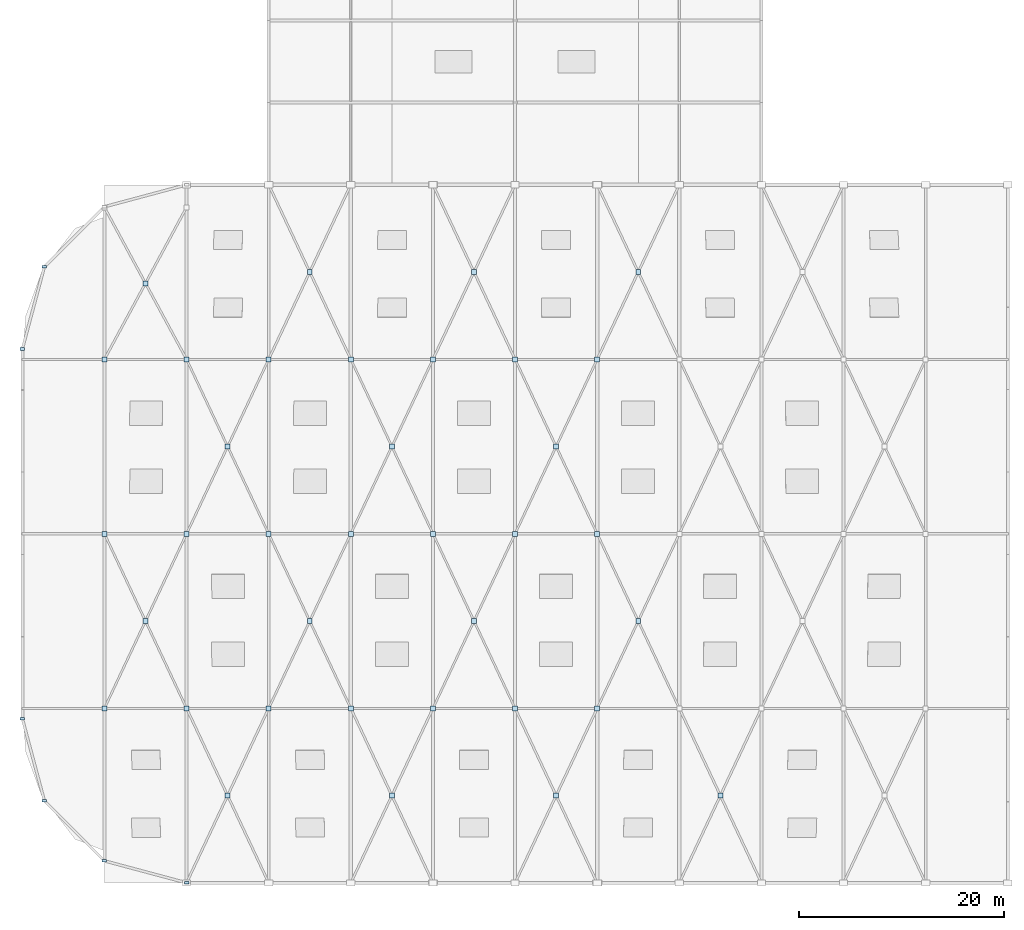
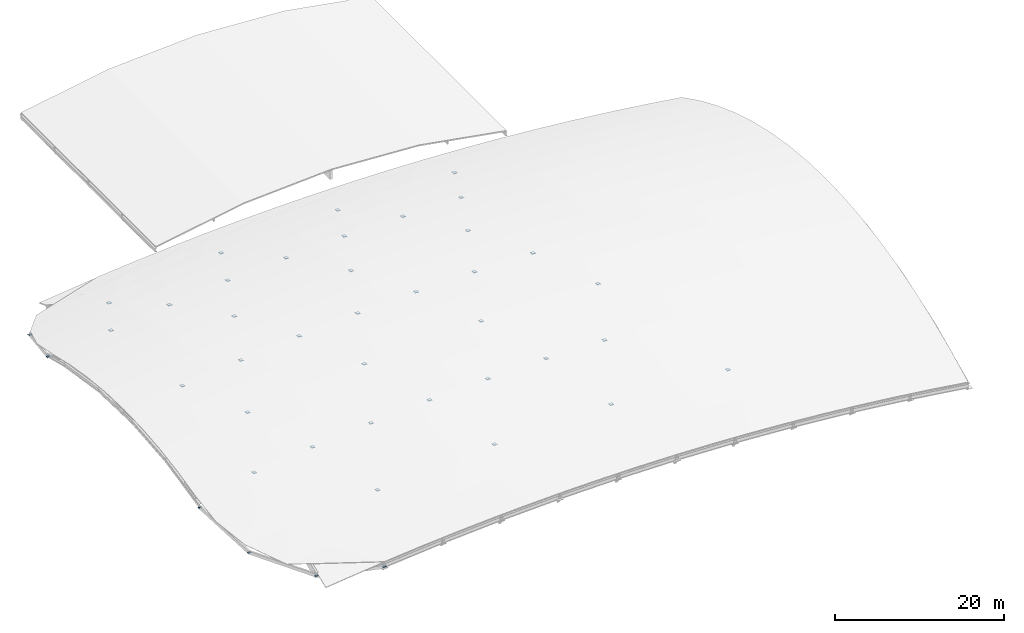
# One storey, part 8 of 11: 42 plates.
"""IFC4 building model written with IfcOpenShell, lengths in metres."""

from ifc_helpers import new_model, si_unit, direction, frame, origin, origin_2d, place, context, subcontext, project, spatial, rectangle, extrude, material, layer, layer_set, type_object, element, save


model = new_model("IFC4")

# Units and contexts
model_context = context("Model", 3, precision=1e-05, world=origin(), true_north=direction((0.0, 1.0)))
body_context = subcontext(model_context, "Body", "Model", "MODEL_VIEW")
ifc_project = project(units=[si_unit("LENGTHUNIT", "METRE"), si_unit("AREAUNIT", "SQUARE_METRE"), si_unit("VOLUMEUNIT", "CUBIC_METRE"), si_unit("PLANEANGLEUNIT", "RADIAN"), si_unit("MASSUNIT", "GRAM", prefix="KILO")], contexts=[model_context])

# Site, building, storey
site_placement = place(None, origin())
site = spatial("IfcSite", under=ifc_project, at=site_placement, CompositionType="ELEMENT")
building_placement = place(site_placement, origin())
building = spatial("IfcBuilding", under=site, at=building_placement, Name="Drelvana Railside Aquatics Centre", CompositionType="ELEMENT")
storey_placement = place(building_placement, frame((0.0, 0.0, 22.800048828125)))
storey = spatial("IfcBuildingStorey", under=building, at=storey_placement, Name="Roof", CompositionType="ELEMENT", Elevation=22.800048828125)

# Plates
ifc_material = material(Name="Structural steel S355", Category="steel")
ifc_layer_1 = layer(ifc_material, 0.02197265625, Name="Structural steel S355")
ifc_layer_set_1 = layer_set([ifc_layer_1], Name="Structural steel S355")
plate_type_1 = type_object("IfcPlateType", Name="STR-PLT-PL-04", PredefinedType="SHEET", material=ifc_layer_set_1)
for number, where, z_axis, x_axis, name in (
    (1, (12.0, 41.5, 1.822509765625), (0.0, 0.0, 1.0), (1.0, 0.0, 0.0), "Gridshell X-brace crossing node plate PL-04 (2.2)"),
    (2, (8.0, 33.0, -0.340087890625), (0.0, 0.0, 1.0), (1.0, 0.0, 0.0), "Gridshell brace end gusset plate PL-04 (2.2.1)"),
    (3, (16.0, 50.0, 2.81005859375), (0.0, 0.0, 1.0), (1.0, 0.0, 0.0), "Gridshell brace end gusset plate PL-04 (2.2.2)"),
    (4, (8.0, 50.0, 1.909912109375), (0.0, 0.0, 1.0), (1.0, 0.0, 0.0), "Gridshell brace end gusset plate PL-04 (2.2.3)"),
    (5, (16.0, 33.0, 0.56005859375), (0.0, 0.0, 1.0), (1.0, 0.0, 0.0), "Gridshell brace end gusset plate PL-04 (2.2.4)"),
    (6, (12.0, 74.39990234375, -2.290283203125), (0.0, 0.0, 1.0), (1.0, 0.0, 0.0), "Gridshell X-brace crossing node plate PL-04 (2.4)"),
    (7, (8.0, 67.0, -0.380126953125), (0.0, 0.0, 1.0), (1.0, 0.0, 0.0), "Gridshell brace end gusset plate PL-04 (2.4.1)"),
    (8, (16.0, 67.0, 0.52001953125), (0.0, 0.0, 1.0), (1.0, 0.0, 0.0), "Gridshell brace end gusset plate PL-04 (2.4.4)"),
    (9, (20.0, 24.5, -1.91748046875), (0.0, 0.0, 1.0), (1.0, 0.0, 0.0), "Gridshell X-brace crossing node plate PL-04 (3.1)"),
    (10, (24.0, 33.0, 1.219970703125), (0.0, 0.0, 1.0), (1.0, 0.0, 0.0), "Gridshell brace end gusset plate PL-04 (3.1.2)"),
    (11, (20.0, 58.5, 2.62255859375), (0.0, 0.0, 1.0), (1.0, 0.0, 0.0), "Gridshell X-brace crossing node plate PL-04 (3.3)"),
    (12, (24.0, 67.0, 1.260009765625), (0.0, 0.0, 1.0), (1.0, 0.0, 0.0), "Gridshell brace end gusset plate PL-04 (3.3.2)"),
    (13, (24.0, 50.0, 3.510009765625), (0.0, 0.0, 1.0), (1.0, 0.0, 0.0), "Gridshell brace end gusset plate PL-04 (3.3.4)"),
    (14, (28.0, 41.5, 3.222412109375), (0.0, 0.0, 1.0), (1.0, 0.0, 0.0), "Gridshell X-brace crossing node plate PL-04 (4.2)"),
    (15, (32.0, 50.0, 4.010009765625), (0.0, 0.0, 1.0), (1.0, 0.0, 0.0), "Gridshell brace end gusset plate PL-04 (4.2.2)"),
    (16, (32.0, 33.0, 1.760009765625), (0.0, 0.0, 1.0), (1.0, 0.0, 0.0), "Gridshell brace end gusset plate PL-04 (4.2.4)"),
    (17, (28.0, 75.5, -1.317626953125), (0.0, 0.0, 1.0), (1.0, 0.0, 0.0), "Gridshell X-brace crossing node plate PL-04 (4.4)"),
    (18, (32.0, 67.0, 1.719970703125), (0.0, 0.0, 1.0), (1.0, 0.0, 0.0), "Gridshell brace end gusset plate PL-04 (4.4.4)"),
    (19, (36.0, 24.5, -0.91748046875), (0.0, 0.0, 1.0), (1.0, 0.0, 0.0), "Gridshell X-brace crossing node plate PL-04 (5.1)"),
    (20, (40.0, 33.0, 2.02001953125), (0.0, 0.0, 1.0), (1.0, 0.0, 0.0), "Gridshell brace end gusset plate PL-04 (5.1.2)"),
    (21, (36.0, 58.5, 3.62255859375), (0.0, 0.0, 1.0), (1.0, 0.0, 0.0), "Gridshell X-brace crossing node plate PL-04 (5.3)"),
    (22, (40.0, 67.0, 2.06005859375), (0.0, 0.0, 1.0), (1.0, 0.0, 0.0), "Gridshell brace end gusset plate PL-04 (5.3.2)"),
    (23, (40.0, 50.0, 4.31005859375), (0.0, 0.0, 1.0), (1.0, 0.0, 0.0), "Gridshell brace end gusset plate PL-04 (5.3.4)"),
    (24, (44.0, 41.5, 3.822509765625), (0.0, 0.0, 1.0), (1.0, 0.0, 0.0), "Gridshell X-brace crossing node plate PL-04 (6.2)"),
    (25, (48.0, 50.0, 4.409912109375), (0.0, 0.0, 1.0), (1.0, 0.0, 0.0), "Gridshell brace end gusset plate PL-04 (6.2.2)"),
    (26, (48.0, 33.0, 2.159912109375), (0.0, 0.0, 1.0), (1.0, 0.0, 0.0), "Gridshell brace end gusset plate PL-04 (6.2.4)"),
    (27, (44.0, 75.5, -0.717529296875), (0.0, 0.0, 1.0), (1.0, 0.0, 0.0), "Gridshell X-brace crossing node plate PL-04 (6.4)"),
    (28, (48.0, 67.0, 2.119873046875), (0.0, 0.0, 1.0), (1.0, 0.0, 0.0), "Gridshell brace end gusset plate PL-04 (6.4.4)"),
    (29, (52.0, 24.5, -0.717529296875), (0.0, 0.0, 1.0), (1.0, 0.0, 0.0), "Gridshell X-brace crossing node plate PL-04 (7.1)"),
    (30, (56.0, 33.0, 2.02001953125), (0.0, 0.0, 1.0), (1.0, 0.0, 0.0), "Gridshell brace end gusset plate PL-04 (7.1.2)"),
    (31, (52.0, 58.5, 3.822509765625), (0.0, 0.0, 1.0), (1.0, 0.0, 0.0), "Gridshell X-brace crossing node plate PL-04 (7.3)"),
    (32, (56.0, 67.0, 2.06005859375), (0.0, 0.0, 1.0), (1.0, 0.0, 0.0), "Gridshell brace end gusset plate PL-04 (7.3.2)"),
    (33, (56.0, 50.0, 4.31005859375), (0.0, 0.0, 1.0), (1.0, 0.0, 0.0), "Gridshell brace end gusset plate PL-04 (7.3.4)"),
    (34, (60.0, 41.5, 3.62255859375), (0.0, 0.0, 1.0), (1.0, 0.0, 0.0), "Gridshell X-brace crossing node plate PL-04 (8.2)"),
    (35, (60.0, 75.5, -0.91748046875), (0.0, 0.0, 1.0), (1.0, 0.0, 0.0), "Gridshell X-brace crossing node plate PL-04 (8.4)"),
    (36, (68.0, 24.5, -1.317626953125), (0.0, 0.0, 1.0), (1.0, 0.0, 0.0), "Gridshell X-brace crossing node plate PL-04 (9.1)"),
):
    element("IfcPlate", number, at=place(storey_placement, frame(where, z_axis=z_axis, x_axis=x_axis)), inside=storey, type_object=plate_type_1, Name=name, PredefinedType="SHEET", context=body_context, shape_type="SweptSolid", body=[
        extrude(rectangle(XDim=0.47998046875, YDim=0.47998046875, at=origin_2d()), origin(), (0.0, 0.0, 1.0), 0.02197265625),
    ])
ifc_layer_2 = layer(ifc_material, 0.0400390625, Name="Structural steel S355")
ifc_layer_set_2 = layer_set([ifc_layer_2], Name="Structural steel S355")
plate_type_2 = type_object("IfcPlateType", Name="STR-PLT-PL-05", PredefinedType="SHEET", material=ifc_layer_set_2)
for number, where, z_axis, x_axis, name in (
    (37, (0.0, 32.0, -2.004638671875), (0.0, 0.0, 1.0), (1.0, 0.0, 0.0), "Ring beam end plate PL-05 SW-0"),
    (38, (2.1435546875, 24.0, -4.4306640625), (0.0, 0.0, 1.0), (1.0, 0.0, 0.0), "Ring beam end plate PL-05 SW-1"),
    (39, (8.0, 18.1435546875, -6.282958984375), (0.0, 0.0, 1.0), (1.0, 0.0, 0.0), "Ring beam end plate PL-05 SW-2"),
    (40, (16.0, 16.0, -6.482177734375), (0.0, 0.0, 1.0), (1.0, 0.0, 0.0), "Ring beam end plate PL-05 SW-3"),
    (41, (2.1435546875, 76.0, -4.4306640625), (0.0, 0.0, 1.0), (1.0, 0.0, 0.0), "Ring beam end plate PL-05 NW-2"),
    (42, (0.0, 68.0, -2.004638671875), (0.0, 0.0, 1.0), (1.0, 0.0, 0.0), "Ring beam end plate PL-05 NW-3"),
):
    element("IfcPlate", number, at=place(storey_placement, frame(where, z_axis=z_axis, x_axis=x_axis)), inside=storey, type_object=plate_type_2, Name=name, PredefinedType="SHEET", context=body_context, shape_type="SweptSolid", body=[
        extrude(rectangle(XDim=0.449951171875, YDim=0.25, at=origin_2d()), origin(), (0.0, 0.0, 1.0), 0.0400390625),
    ])

save(model, "model.ifc")
